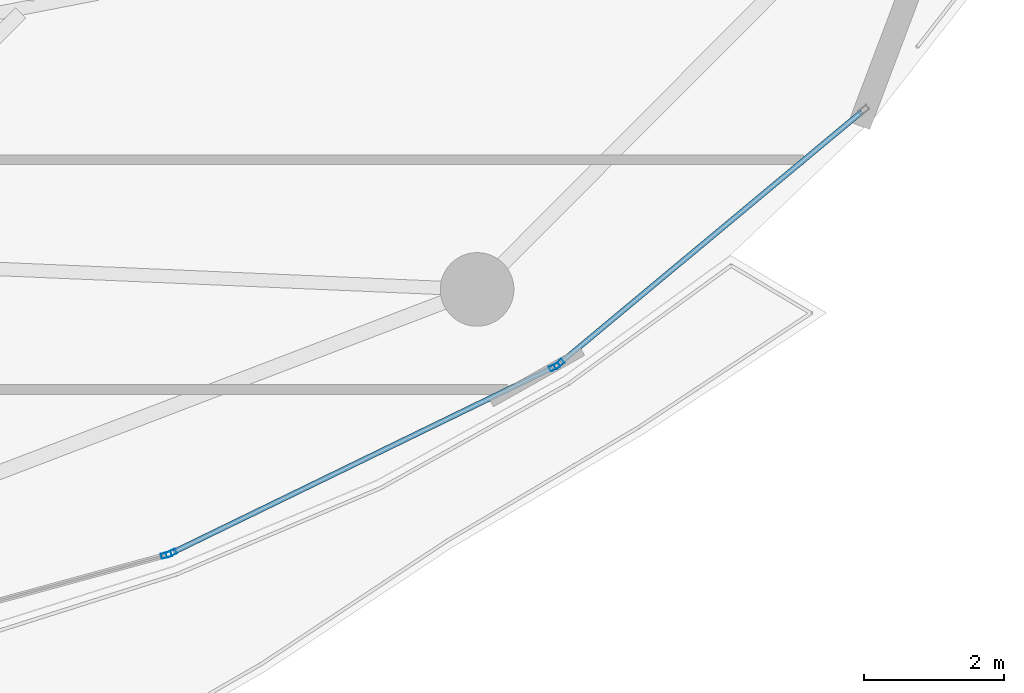
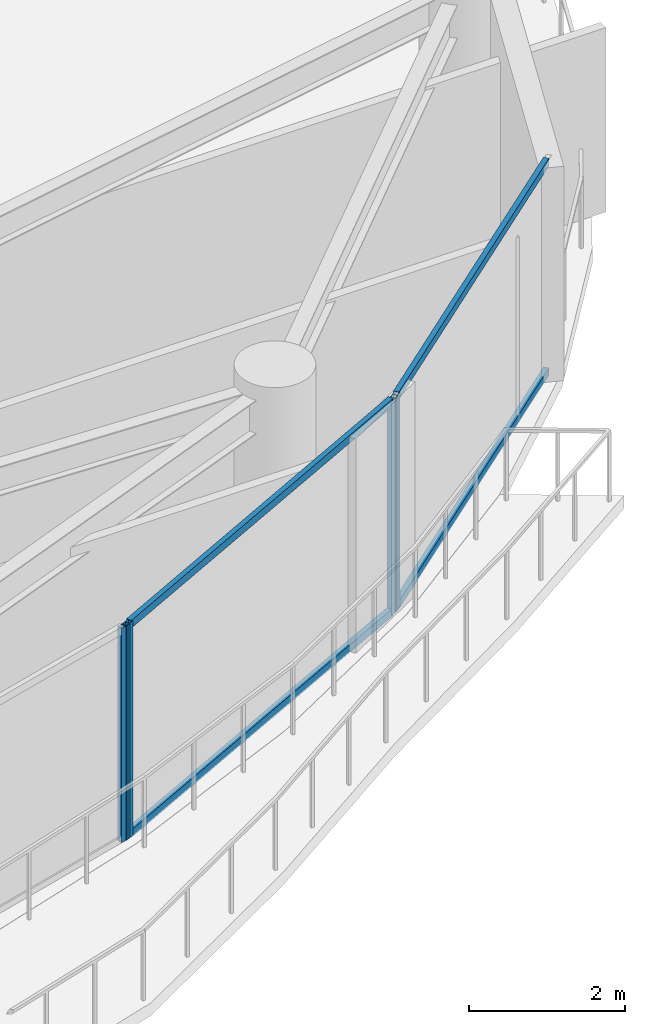
# One storey, part 12 of 28: 8 members, 3 elements without a shape of their own.
"""IFC4 building model written with IfcOpenShell, lengths in metres."""

from ifc_helpers import new_model, si_unit, direction, frame, origin, origin_2d, place, context, subcontext, project, spatial, hollow_rectangle, extrude, material, layer, layer_set, material_profile, profile_set, type_object, element, aggregate, save


model = new_model("IFC4")

# Units and contexts
model_context = context("Model", 3, precision=1e-05, world=origin(), true_north=direction((0.0, 1.0)))
body_context = subcontext(model_context, "Body", "Model", "MODEL_VIEW")
ifc_project = project(units=[si_unit("LENGTHUNIT", "METRE"), si_unit("AREAUNIT", "SQUARE_METRE"), si_unit("VOLUMEUNIT", "CUBIC_METRE"), si_unit("PLANEANGLEUNIT", "RADIAN"), si_unit("MASSUNIT", "GRAM", prefix="KILO")], contexts=[model_context])

# Site, building, storey
site_placement = place(None, origin())
site = spatial("IfcSite", under=ifc_project, at=site_placement, CompositionType="ELEMENT")
building_placement = place(site_placement, origin())
building = spatial("IfcBuilding", under=site, at=building_placement, Name="Kazevale Care Tower and Concert Hall", CompositionType="ELEMENT")
storey_placement = place(building_placement, frame((0.0, 0.0, 231.60009765625)))
storey = spatial("IfcBuildingStorey", under=building, at=storey_placement, Name="L61", CompositionType="ELEMENT", Elevation=231.60009765625)

# Curtain wall, member
ifc_material_1 = material(Name="Aluminium 6063-T6 and Low-E Glass", Category="aluminium")
ifc_layer = layer(ifc_material_1, 0.179931640625)
ifc_layer_set = layer_set([ifc_layer], Name="Aluminium 6063-T6 and Low-E Glass")
curtain_wall_type = type_object("IfcCurtainWallType", Name="Sheltered Concave Balcony Curtain Wall CW-5", PredefinedType="NOTDEFINED", material=ifc_layer_set)
curtain_wall_1_placement = place(storey_placement, origin())
curtain_wall_1 = element("IfcCurtainWall", 1, at=curtain_wall_1_placement, inside=storey, type_object=curtain_wall_type, Name="cw:L61:f02", PredefinedType="NOTDEFINED")
ifc_material_2 = material(Name="Aluminium 6063-T6", Category="aluminium")
ifc_material_profile_1 = material_profile(ifc_material_2, hollow_rectangle(XDim=0.074951171875, YDim=0.14990234375, WallThickness=0.00390625, at=origin_2d()), Name="ALU75x150x4")
ifc_profile_set_1 = profile_set([ifc_material_profile_1], Name="Aluminium 6063-T6")
member_type_1 = type_object("IfcMemberType", Name="CW-5 Mullion ALU75x150x4", PredefinedType="MULLION", material=ifc_profile_set_1)
member_1_placement = place(storey_placement, frame((67.417724609375, 21.5869140625, 0.0), z_axis=(0.0, 0.0, 1.0), x_axis=(0.639961217204, -0.768407210062, 0.0)))
member_1 = element("IfcMember", 2, at=member_1_placement, type_object=member_type_1, Name="CW-5 mullion 2", PredefinedType="MULLION", context=body_context, shape_type="SweptSolid", body=[
    extrude(hollow_rectangle(XDim=0.074951171875, YDim=0.14990234375, WallThickness=0.00390625, at=origin_2d()), origin(), (0.0, 0.0, 1.0), 3.35986328125),
])

# Curtain wall, members
curtain_wall_2_placement = place(storey_placement, origin())
curtain_wall_2 = element("IfcCurtainWall", 3, at=curtain_wall_2_placement, inside=storey, type_object=curtain_wall_type, Name="cw:L61:f03", PredefinedType="NOTDEFINED")
member_2_placement = place(storey_placement, frame((67.355224609375, 21.546630859375, 0.0), z_axis=(0.0, 0.0, 1.0), x_axis=(0.437238357087, -0.89934566163, 0.0)))
member_2 = element("IfcMember", 4, at=member_2_placement, type_object=member_type_1, Name="CW-5 mullion 1", PredefinedType="MULLION", context=body_context, shape_type="SweptSolid", body=[
    extrude(hollow_rectangle(XDim=0.074951171875, YDim=0.14990234375, WallThickness=0.00390625, at=origin_2d()), origin(), (0.0, 0.0, 1.0), 3.35986328125),
])
member_3_placement = place(storey_placement, frame((61.8896484375, 18.889404296875, 0.0), z_axis=(0.0, 0.0, 1.0), x_axis=(0.437238357087, -0.89934566163, 0.0)))
member_3 = element("IfcMember", 5, at=member_3_placement, type_object=member_type_1, Name="CW-5 mullion 2", PredefinedType="MULLION", context=body_context, shape_type="SweptSolid", body=[
    extrude(hollow_rectangle(XDim=0.074951171875, YDim=0.14990234375, WallThickness=0.00390625, at=origin_2d()), origin(), (0.0, 0.0, 1.0), 3.35986328125),
])

# Curtain wall, member
curtain_wall_3_placement = place(storey_placement, origin())
curtain_wall_3 = element("IfcCurtainWall", 6, at=curtain_wall_3_placement, inside=storey, type_object=curtain_wall_type, Name="cw:L61:f04", PredefinedType="NOTDEFINED")
member_4_placement = place(storey_placement, frame((61.81982421875, 18.863037109375, 0.0), z_axis=(0.0, 0.0, 1.0), x_axis=(0.262848968947, -0.964836991167, 0.0)))
member_4 = element("IfcMember", 7, at=member_4_placement, type_object=member_type_1, Name="CW-5 mullion 1", PredefinedType="MULLION", context=body_context, shape_type="SweptSolid", body=[
    extrude(hollow_rectangle(XDim=0.074951171875, YDim=0.14990234375, WallThickness=0.00390625, at=origin_2d()), origin(), (0.0, 0.0, 1.0), 3.35986328125),
])
aggregate(curtain_wall_3, [member_4])

# Member
ifc_material_profile_2 = material_profile(ifc_material_2, hollow_rectangle(XDim=0.074951171875, YDim=0.1201171875, WallThickness=0.00390625, at=origin_2d()), Name="ALU75x120x4")
ifc_profile_set_2 = profile_set([ifc_material_profile_2], Name="Aluminium 6063-T6")
member_type_2 = type_object("IfcMemberType", Name="CW-5 Transom ALU75x120x4", PredefinedType="USERDEFINED", material=ifc_profile_set_2)
member_5_placement = place(storey_placement, frame((71.734375, 25.181884765625, 0.037353515625), z_axis=(-0.768432829708, -0.639930454211, 0.0), x_axis=(0.639930454211, -0.768432829708, 0.0)))
member_5 = element("IfcMember", 8, at=member_5_placement, type_object=member_type_2, Name="CW-5 transom 1.1", ObjectType="TRANSOM", PredefinedType="USERDEFINED", context=body_context, shape_type="SweptSolid", body=[
    extrude(hollow_rectangle(XDim=0.074951171875, YDim=0.1201171875, WallThickness=0.00390625, at=origin_2d()), origin(), (0.0, 0.0, 1.0), 5.580078125),
])

member_6_placement = place(storey_placement, frame((71.734375, 25.181884765625, 3.322509765625), z_axis=(-0.768432829708, -0.639930454211, 0.0), x_axis=(0.639930454211, -0.768432829708, 0.0)))
member_6 = element("IfcMember", 9, at=member_6_placement, type_object=member_type_2, Name="CW-5 transom 1.2", ObjectType="TRANSOM", PredefinedType="USERDEFINED", context=body_context, shape_type="SweptSolid", body=[
    extrude(hollow_rectangle(XDim=0.074951171875, YDim=0.1201171875, WallThickness=0.00390625, at=origin_2d()), origin(), (0.0, 0.0, 1.0), 5.580078125),
])

aggregate(curtain_wall_1, [member_1, member_5, member_6])

member_7_placement = place(storey_placement, frame((67.321533203125, 21.5302734375, 0.037353515625), z_axis=(-0.899342308406, -0.437245254189, 0.0), x_axis=(0.437245254189, -0.899342308406, 0.0)))
member_7 = element("IfcMember", 10, at=member_7_placement, type_object=member_type_2, Name="CW-5 transom 1.1", ObjectType="TRANSOM", PredefinedType="USERDEFINED", context=body_context, shape_type="SweptSolid", body=[
    extrude(hollow_rectangle(XDim=0.074951171875, YDim=0.1201171875, WallThickness=0.00390625, at=origin_2d()), origin(), (0.0, 0.0, 1.0), 6.00244140625),
])

member_8_placement = place(storey_placement, frame((67.321533203125, 21.5302734375, 3.322509765625), z_axis=(-0.899342308406, -0.437245254189, 0.0), x_axis=(0.437245254189, -0.899342308406, 0.0)))
member_8 = element("IfcMember", 11, at=member_8_placement, type_object=member_type_2, Name="CW-5 transom 1.2", ObjectType="TRANSOM", PredefinedType="USERDEFINED", context=body_context, shape_type="SweptSolid", body=[
    extrude(hollow_rectangle(XDim=0.074951171875, YDim=0.1201171875, WallThickness=0.00390625, at=origin_2d()), origin(), (0.0, 0.0, 1.0), 6.00244140625),
])

aggregate(curtain_wall_2, [member_2, member_3, member_7, member_8])

save(model, "model.ifc")
